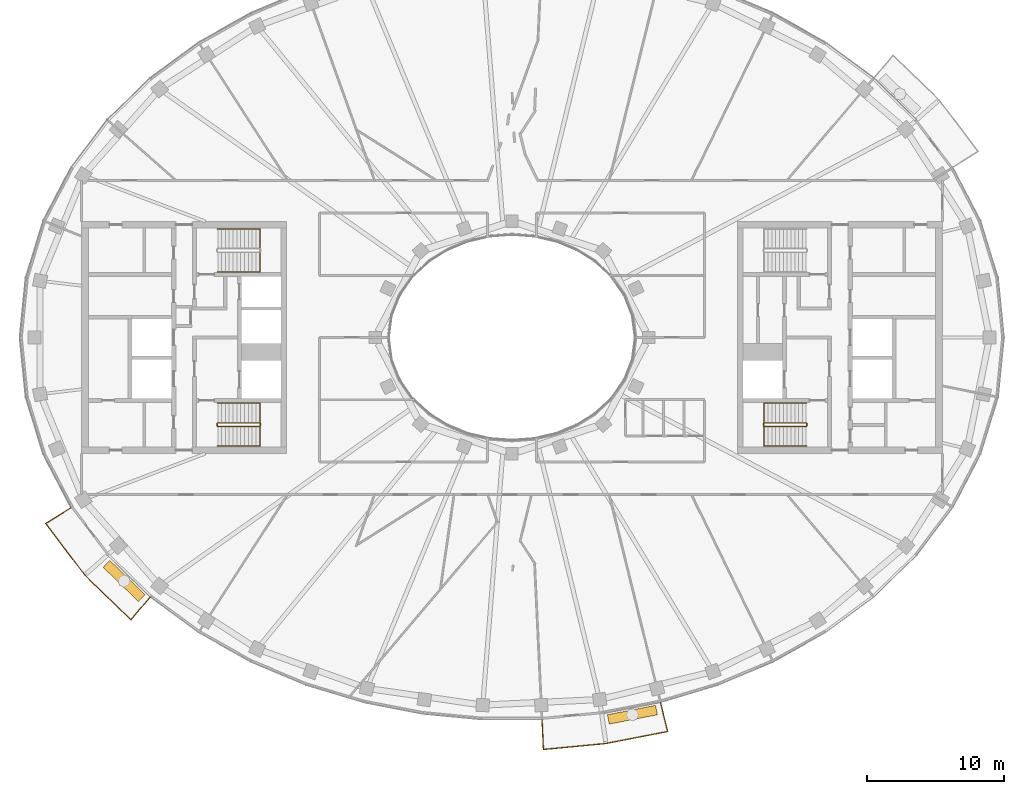
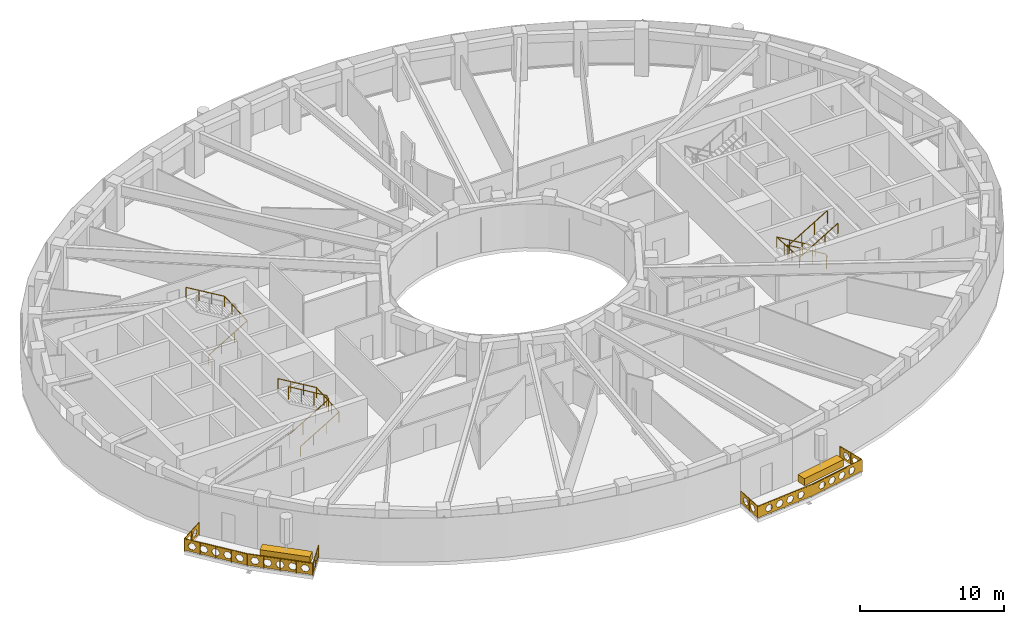
# One storey, part 14 of 16: 7 railings, 2 coverings.
"""IFC4 building model written with IfcOpenShell, lengths in metres."""

from ifc_helpers import new_model, si_unit, direction, frame, origin, origin_2d, place, context, subcontext, project, spatial, polyline, rectangle, outline, extrude, material, type_object, element, save


model = new_model("IFC4")

# Units and contexts
model_context = context("Model", 3, precision=1e-05, world=origin(), true_north=direction((0.0, 1.0)))
body_context = subcontext(model_context, "Body", "Model", "MODEL_VIEW")
ifc_project = project(units=[si_unit("LENGTHUNIT", "METRE"), si_unit("AREAUNIT", "SQUARE_METRE"), si_unit("VOLUMEUNIT", "CUBIC_METRE"), si_unit("PLANEANGLEUNIT", "RADIAN"), si_unit("MASSUNIT", "GRAM", prefix="KILO")], contexts=[model_context])

# Site, building, storey
site_placement = place(None, origin())
site = spatial("IfcSite", under=ifc_project, at=site_placement, CompositionType="ELEMENT")
building_placement = place(site_placement, origin())
building = spatial("IfcBuilding", under=site, at=building_placement, Name="Noorbagh Ring Tower", CompositionType="ELEMENT")
storey_placement = place(building_placement, frame((0.0, 0.0, 311.0)))
storey = spatial("IfcBuildingStorey", under=building, at=storey_placement, Name="L67", CompositionType="ELEMENT", Elevation=311.0)

# Railings
ifc_material_1 = material(Name="Stainless steel", Category="steel")
railing_type_1 = type_object("IfcRailingType", Name="CORE-STAIR-GUARD", PredefinedType="GUARDRAIL", material=ifc_material_1)
railing_1_placement = place(storey_placement, frame((-21.580078125, -6.449951171875, 0.0)))
element("IfcRailing", 1, at=railing_1_placement, inside=storey, type_object=railing_type_1, Name="L67 ST2 stair guard", PredefinedType="GUARDRAIL", context=body_context, shape_type="SweptSolid", body=[
    extrude(rectangle(XDim=0.048095703125, YDim=0.048095703125, at=origin_2d()), frame((0.0, 0.0, 1.076171875), z_axis=(0.0, 1.0, 0.0), x_axis=(-1.0, 0.0, 0.0)), (0.0, 0.0, 1.0), 0.14990234375),
    extrude(rectangle(XDim=0.048095703125, YDim=0.048095703125, at=origin_2d()), frame((0.0, 0.14990234375, 1.076171875), z_axis=(0.188775798145, -0.754182335027, 0.628945707965), x_axis=(0.970072785993, 0.242814311512, 0.0)), (0.0, 0.0, 1.0), 0.26513671875),
    extrude(rectangle(XDim=0.048095703125, YDim=0.048095703125, at=origin_2d()), frame((0.050048828125, -0.050048828125, 1.24267578125), z_axis=(0.859308565015, 0.0, 0.511457515432), x_axis=(0.0, 1.0, 0.0)), (0.0, 0.0, 1.0), 3.58447265625),
    extrude(rectangle(XDim=0.048095703125, YDim=0.048095703125, at=origin_2d()), frame((3.130126953125, -0.050048828125, 3.076171875), z_axis=(0.707106781187, 0.707106781187, 0.0), x_axis=(-0.707106781187, 0.707106781187, 0.0)), (0.0, 0.0, 1.0), 0.07080078125),
    extrude(rectangle(XDim=0.048095703125, YDim=0.048095703125, at=origin_2d()), frame((3.18017578125, 0.0, 3.076171875), z_axis=(0.0, 1.0, 0.0), x_axis=(-1.0, 0.0, 0.0)), (0.0, 0.0, 1.0), 0.14990234375),
    extrude(rectangle(XDim=0.048095703125, YDim=0.048095703125, at=origin_2d()), frame((3.18017578125, 0.14990234375, 3.076171875), z_axis=(-0.27628659633, 0.27628659633, 0.920506074601), x_axis=(-0.707106781187, -0.707106781187, 0.0)), (0.0, 0.0, 1.0), 0.18115234375),
    extrude(rectangle(XDim=0.048095703125, YDim=0.048095703125, at=origin_2d()), frame((3.130126953125, 0.199951171875, 3.24267578125), z_axis=(-0.859308565015, 0.0, 0.511457515432), x_axis=(0.0, -1.0, 0.0)), (0.0, 0.0, 1.0), 3.58447265625),
    extrude(rectangle(XDim=0.0419921875, YDim=0.0419921875, at=origin_2d()), origin(), (0.0, 0.0, 1.0), 1.052001953125),
    extrude(rectangle(XDim=0.0419921875, YDim=0.0419921875, at=origin_2d()), frame((1.07666015625, -0.050048828125, 0.77783203125)), (0.0, 0.0, 1.0), 1.052001953125),
    extrude(rectangle(XDim=0.0419921875, YDim=0.0419921875, at=origin_2d()), frame((2.103515625, -0.050048828125, 1.388916015625)), (0.0, 0.0, 1.0), 1.052001953125),
    extrude(rectangle(XDim=0.0419921875, YDim=0.0419921875, at=origin_2d()), frame((3.130126953125, -0.050048828125, 2.0)), (0.0, 0.0, 1.0), 1.052001953125),
    extrude(rectangle(XDim=0.0419921875, YDim=0.0419921875, at=origin_2d()), frame((3.130126953125, 0.199951171875, 2.166748046875)), (0.0, 0.0, 1.0), 1.052001953125),
    extrude(rectangle(XDim=0.0419921875, YDim=0.0419921875, at=origin_2d()), frame((2.103515625, 0.199951171875, 2.77783203125)), (0.0, 0.0, 1.0), 1.052001953125),
    extrude(rectangle(XDim=0.0419921875, YDim=0.0419921875, at=origin_2d()), frame((1.07666015625, 0.199951171875, 3.388916015625)), (0.0, 0.0, 1.0), 1.052001953125),
    extrude(rectangle(XDim=0.0419921875, YDim=0.0419921875, at=origin_2d()), frame((0.050048828125, 0.199951171875, 4.0)), (0.0, 0.0, 1.0), 1.052001953125),
])
railing_2_placement = place(storey_placement, frame((21.580078125, -6.300048828125, 0.0)))
element("IfcRailing", 2, at=railing_2_placement, inside=storey, type_object=railing_type_1, Name="L67 ST4 stair guard", PredefinedType="GUARDRAIL", context=body_context, shape_type="SweptSolid", body=[
    extrude(rectangle(XDim=0.048095703125, YDim=0.048095703125, at=origin_2d()), frame((0.0, 0.0, 1.076171875), z_axis=(0.0, -1.0, 0.0), x_axis=(1.0, 0.0, 0.0)), (0.0, 0.0, 1.0), 0.14990234375),
    extrude(rectangle(XDim=0.048095703125, YDim=0.048095703125, at=origin_2d()), frame((0.0, -0.14990234375, 1.076171875), z_axis=(-0.188775798145, 0.754182335027, 0.628945707965), x_axis=(-0.970072785993, -0.242814311512, 0.0)), (0.0, 0.0, 1.0), 0.26513671875),
    extrude(rectangle(XDim=0.048095703125, YDim=0.048095703125, at=origin_2d()), frame((-0.050048828125, 0.050048828125, 1.24267578125), z_axis=(-0.859308565015, 0.0, 0.511457515432), x_axis=(0.0, -1.0, 0.0)), (0.0, 0.0, 1.0), 3.58447265625),
    extrude(rectangle(XDim=0.048095703125, YDim=0.048095703125, at=origin_2d()), frame((-3.130126953125, 0.050048828125, 3.076171875), z_axis=(-0.707106781187, -0.707106781187, 0.0), x_axis=(0.707106781187, -0.707106781187, 0.0)), (0.0, 0.0, 1.0), 0.07080078125),
    extrude(rectangle(XDim=0.048095703125, YDim=0.048095703125, at=origin_2d()), frame((-3.18017578125, 0.0, 3.076171875), z_axis=(0.0, -1.0, 0.0), x_axis=(1.0, 0.0, 0.0)), (0.0, 0.0, 1.0), 0.14990234375),
    extrude(rectangle(XDim=0.048095703125, YDim=0.048095703125, at=origin_2d()), frame((-3.18017578125, -0.14990234375, 3.076171875), z_axis=(0.27628659633, -0.27628659633, 0.920506074601), x_axis=(0.707106781187, 0.707106781187, 0.0)), (0.0, 0.0, 1.0), 0.18115234375),
    extrude(rectangle(XDim=0.048095703125, YDim=0.048095703125, at=origin_2d()), frame((-3.130126953125, -0.199951171875, 3.24267578125), z_axis=(0.859308565015, 0.0, 0.511457515432), x_axis=(0.0, 1.0, 0.0)), (0.0, 0.0, 1.0), 3.58447265625),
    extrude(rectangle(XDim=0.0419921875, YDim=0.0419921875, at=origin_2d()), origin(), (0.0, 0.0, 1.0), 1.052001953125),
    extrude(rectangle(XDim=0.0419921875, YDim=0.0419921875, at=origin_2d()), frame((-1.07666015625, 0.050048828125, 0.77783203125)), (0.0, 0.0, 1.0), 1.052001953125),
    extrude(rectangle(XDim=0.0419921875, YDim=0.0419921875, at=origin_2d()), frame((-2.103515625, 0.050048828125, 1.388916015625)), (0.0, 0.0, 1.0), 1.052001953125),
    extrude(rectangle(XDim=0.0419921875, YDim=0.0419921875, at=origin_2d()), frame((-3.130126953125, 0.050048828125, 2.0)), (0.0, 0.0, 1.0), 1.052001953125),
    extrude(rectangle(XDim=0.0419921875, YDim=0.0419921875, at=origin_2d()), frame((-3.130126953125, -0.199951171875, 2.166748046875)), (0.0, 0.0, 1.0), 1.052001953125),
    extrude(rectangle(XDim=0.0419921875, YDim=0.0419921875, at=origin_2d()), frame((-2.103515625, -0.199951171875, 2.77783203125)), (0.0, 0.0, 1.0), 1.052001953125),
    extrude(rectangle(XDim=0.0419921875, YDim=0.0419921875, at=origin_2d()), frame((-1.07666015625, -0.199951171875, 3.388916015625)), (0.0, 0.0, 1.0), 1.052001953125),
    extrude(rectangle(XDim=0.0419921875, YDim=0.0419921875, at=origin_2d()), frame((-0.050048828125, -0.199951171875, 4.0)), (0.0, 0.0, 1.0), 1.052001953125),
])
ifc_material_2 = material(Name="Stainless steel", Category="steel")
railing_type_2 = type_object("IfcRailingType", Name="CORE-STAIR-HANDRAIL", PredefinedType="HANDRAIL", material=ifc_material_2)
railing_3_placement = place(storey_placement, frame((-21.530029296875, 4.800048828125, 0.166748046875)))
element("IfcRailing", 3, at=railing_3_placement, inside=storey, type_object=railing_type_2, Name="L67 ST1 stair handrail", PredefinedType="HANDRAIL", context=body_context, shape_type="SweptSolid", body=[
    extrude(rectangle(XDim=0.048095703125, YDim=0.048095703125, at=origin_2d()), frame((0.0, 0.0, 0.8759765625), z_axis=(0.859308565015, 0.0, 0.511457515432), x_axis=(0.0, 1.0, 0.0)), (0.0, 0.0, 1.0), 3.58447265625),
    extrude(rectangle(XDim=0.048095703125, YDim=0.048095703125, at=origin_2d()), frame((3.080078125, 0.0, 2.708984375), z_axis=(0.0, 0.998601747152, 0.052863509014), x_axis=(-1.0, 0.0, 0.0)), (0.0, 0.0, 1.0), 3.154296875),
    extrude(rectangle(XDim=0.048095703125, YDim=0.048095703125, at=origin_2d()), frame((3.080078125, 3.14990234375, 2.8759765625), z_axis=(-0.859308565015, 0.0, 0.511457515432), x_axis=(0.0, -1.0, 0.0)), (0.0, 0.0, 1.0), 3.58447265625),
    extrude(rectangle(XDim=0.0419921875, YDim=0.0419921875, at=origin_2d()), origin(), (0.0, 0.0, 1.0), 0.851806640625),
    extrude(rectangle(XDim=0.0419921875, YDim=0.0419921875, at=origin_2d()), frame((1.026611328125, 0.0, 0.611083984375)), (0.0, 0.0, 1.0), 0.851806640625),
    extrude(rectangle(XDim=0.0419921875, YDim=0.0419921875, at=origin_2d()), frame((2.053466796875, 0.0, 1.22216796875)), (0.0, 0.0, 1.0), 0.851806640625),
    extrude(rectangle(XDim=0.0419921875, YDim=0.0419921875, at=origin_2d()), frame((3.080078125, 0.0, 1.833251953125)), (0.0, 0.0, 1.0), 0.851806640625),
    extrude(rectangle(XDim=0.0419921875, YDim=0.0419921875, at=origin_2d()), frame((3.080078125, 1.050048828125, 1.888916015625)), (0.0, 0.0, 1.0), 0.851806640625),
    extrude(rectangle(XDim=0.0419921875, YDim=0.0419921875, at=origin_2d()), frame((3.080078125, 2.099853515625, 1.9443359375)), (0.0, 0.0, 1.0), 0.851806640625),
    extrude(rectangle(XDim=0.0419921875, YDim=0.0419921875, at=origin_2d()), frame((3.080078125, 3.14990234375, 2.0)), (0.0, 0.0, 1.0), 0.851806640625),
    extrude(rectangle(XDim=0.0419921875, YDim=0.0419921875, at=origin_2d()), frame((2.053466796875, 3.14990234375, 2.611083984375)), (0.0, 0.0, 1.0), 0.851806640625),
    extrude(rectangle(XDim=0.0419921875, YDim=0.0419921875, at=origin_2d()), frame((1.026611328125, 3.14990234375, 3.22216796875)), (0.0, 0.0, 1.0), 0.851806640625),
    extrude(rectangle(XDim=0.0419921875, YDim=0.0419921875, at=origin_2d()), frame((0.0, 3.14990234375, 3.833251953125)), (0.0, 0.0, 1.0), 0.851806640625),
])
railing_4_placement = place(storey_placement, frame((-21.530029296875, -7.949951171875, 0.166748046875)))
element("IfcRailing", 4, at=railing_4_placement, inside=storey, type_object=railing_type_2, Name="L67 ST2 stair handrail", PredefinedType="HANDRAIL", context=body_context, shape_type="SweptSolid", body=[
    extrude(rectangle(XDim=0.048095703125, YDim=0.048095703125, at=origin_2d()), frame((0.0, 0.0, 0.8759765625), z_axis=(0.859308565015, 0.0, 0.511457515432), x_axis=(0.0, 1.0, 0.0)), (0.0, 0.0, 1.0), 3.58447265625),
    extrude(rectangle(XDim=0.048095703125, YDim=0.048095703125, at=origin_2d()), frame((3.080078125, 0.0, 2.708984375), z_axis=(0.0, 0.998601747152, 0.052863509014), x_axis=(-1.0, 0.0, 0.0)), (0.0, 0.0, 1.0), 3.154296875),
    extrude(rectangle(XDim=0.048095703125, YDim=0.048095703125, at=origin_2d()), frame((3.080078125, 3.14990234375, 2.8759765625), z_axis=(-0.859308565015, 0.0, 0.511457515432), x_axis=(0.0, -1.0, 0.0)), (0.0, 0.0, 1.0), 3.58447265625),
    extrude(rectangle(XDim=0.0419921875, YDim=0.0419921875, at=origin_2d()), origin(), (0.0, 0.0, 1.0), 0.851806640625),
    extrude(rectangle(XDim=0.0419921875, YDim=0.0419921875, at=origin_2d()), frame((1.026611328125, 0.0, 0.611083984375)), (0.0, 0.0, 1.0), 0.851806640625),
    extrude(rectangle(XDim=0.0419921875, YDim=0.0419921875, at=origin_2d()), frame((2.053466796875, 0.0, 1.22216796875)), (0.0, 0.0, 1.0), 0.851806640625),
    extrude(rectangle(XDim=0.0419921875, YDim=0.0419921875, at=origin_2d()), frame((3.080078125, 0.0, 1.833251953125)), (0.0, 0.0, 1.0), 0.851806640625),
    extrude(rectangle(XDim=0.0419921875, YDim=0.0419921875, at=origin_2d()), frame((3.080078125, 1.050048828125, 1.888916015625)), (0.0, 0.0, 1.0), 0.851806640625),
    extrude(rectangle(XDim=0.0419921875, YDim=0.0419921875, at=origin_2d()), frame((3.080078125, 2.099853515625, 1.9443359375)), (0.0, 0.0, 1.0), 0.851806640625),
    extrude(rectangle(XDim=0.0419921875, YDim=0.0419921875, at=origin_2d()), frame((3.080078125, 3.14990234375, 2.0)), (0.0, 0.0, 1.0), 0.851806640625),
    extrude(rectangle(XDim=0.0419921875, YDim=0.0419921875, at=origin_2d()), frame((2.053466796875, 3.14990234375, 2.611083984375)), (0.0, 0.0, 1.0), 0.851806640625),
    extrude(rectangle(XDim=0.0419921875, YDim=0.0419921875, at=origin_2d()), frame((1.026611328125, 3.14990234375, 3.22216796875)), (0.0, 0.0, 1.0), 0.851806640625),
    extrude(rectangle(XDim=0.0419921875, YDim=0.0419921875, at=origin_2d()), frame((0.0, 3.14990234375, 3.833251953125)), (0.0, 0.0, 1.0), 0.851806640625),
])
railing_5_placement = place(storey_placement, frame((21.530029296875, -4.800048828125, 0.166748046875)))
element("IfcRailing", 5, at=railing_5_placement, inside=storey, type_object=railing_type_2, Name="L67 ST4 stair handrail", PredefinedType="HANDRAIL", context=body_context, shape_type="SweptSolid", body=[
    extrude(rectangle(XDim=0.048095703125, YDim=0.048095703125, at=origin_2d()), frame((0.0, 0.0, 0.8759765625), z_axis=(-0.859308565015, 0.0, 0.511457515432), x_axis=(0.0, -1.0, 0.0)), (0.0, 0.0, 1.0), 3.58447265625),
    extrude(rectangle(XDim=0.048095703125, YDim=0.048095703125, at=origin_2d()), frame((-3.080078125, 0.0, 2.708984375), z_axis=(0.0, -0.998601747152, 0.052863509014), x_axis=(1.0, 0.0, 0.0)), (0.0, 0.0, 1.0), 3.154296875),
    extrude(rectangle(XDim=0.048095703125, YDim=0.048095703125, at=origin_2d()), frame((-3.080078125, -3.14990234375, 2.8759765625), z_axis=(0.859308565015, 0.0, 0.511457515432), x_axis=(0.0, 1.0, 0.0)), (0.0, 0.0, 1.0), 3.58447265625),
    extrude(rectangle(XDim=0.0419921875, YDim=0.0419921875, at=origin_2d()), origin(), (0.0, 0.0, 1.0), 0.851806640625),
    extrude(rectangle(XDim=0.0419921875, YDim=0.0419921875, at=origin_2d()), frame((-1.026611328125, 0.0, 0.611083984375)), (0.0, 0.0, 1.0), 0.851806640625),
    extrude(rectangle(XDim=0.0419921875, YDim=0.0419921875, at=origin_2d()), frame((-2.053466796875, 0.0, 1.22216796875)), (0.0, 0.0, 1.0), 0.851806640625),
    extrude(rectangle(XDim=0.0419921875, YDim=0.0419921875, at=origin_2d()), frame((-3.080078125, 0.0, 1.833251953125)), (0.0, 0.0, 1.0), 0.851806640625),
    extrude(rectangle(XDim=0.0419921875, YDim=0.0419921875, at=origin_2d()), frame((-3.080078125, -1.050048828125, 1.888916015625)), (0.0, 0.0, 1.0), 0.851806640625),
    extrude(rectangle(XDim=0.0419921875, YDim=0.0419921875, at=origin_2d()), frame((-3.080078125, -2.099853515625, 1.9443359375)), (0.0, 0.0, 1.0), 0.851806640625),
    extrude(rectangle(XDim=0.0419921875, YDim=0.0419921875, at=origin_2d()), frame((-3.080078125, -3.14990234375, 2.0)), (0.0, 0.0, 1.0), 0.851806640625),
    extrude(rectangle(XDim=0.0419921875, YDim=0.0419921875, at=origin_2d()), frame((-2.053466796875, -3.14990234375, 2.611083984375)), (0.0, 0.0, 1.0), 0.851806640625),
    extrude(rectangle(XDim=0.0419921875, YDim=0.0419921875, at=origin_2d()), frame((-1.026611328125, -3.14990234375, 3.22216796875)), (0.0, 0.0, 1.0), 0.851806640625),
    extrude(rectangle(XDim=0.0419921875, YDim=0.0419921875, at=origin_2d()), frame((0.0, -3.14990234375, 3.833251953125)), (0.0, 0.0, 1.0), 0.851806640625),
])
ifc_material_3 = material(Name="Steel S275 black powder-coated", Category="steel")
railing_type_3 = type_object("IfcRailingType", Name="ENV-GUARD", PredefinedType="GUARDRAIL", material=ifc_material_3)
railing_6_placement = place(storey_placement, frame((-32.255126953125, -12.434814453125, 0.0)))
element("IfcRailing", 6, at=railing_6_placement, inside=storey, type_object=railing_type_3, Name="Balcony guard BS01", PredefinedType="GUARDRAIL", context=body_context, shape_type="SweptSolid", body=[
    extrude(rectangle(XDim=0.048095703125, YDim=0.048095703125, at=origin_2d()), frame((0.0, 0.0, 1.076171875), z_axis=(-0.844852397829, -0.534999463442, 0.0), x_axis=(0.534999463442, -0.844852397829, 0.0)), (0.0, 0.0, 1.0), 2.207763671875),
    extrude(rectangle(XDim=0.048095703125, YDim=0.048095703125, at=origin_2d()), frame((-1.865234375, -1.18115234375, 1.076171875), z_axis=(0.604001613322, -0.796983093362, 0.0), x_axis=(0.796983093362, 0.604001613322, 0.0)), (0.0, 0.0, 1.0), 4.7353515625),
    extrude(rectangle(XDim=0.048095703125, YDim=0.048095703125, at=origin_2d()), frame((0.994873046875, -4.955078125, 1.076171875), z_axis=(0.717212632946, -0.696854388766, 0.0), x_axis=(0.696854388766, 0.717212632946, 0.0)), (0.0, 0.0, 1.0), 4.700927734375),
    extrude(rectangle(XDim=0.048095703125, YDim=0.048095703125, at=origin_2d()), frame((4.366455078125, -8.23095703125, 1.076171875), z_axis=(0.646413574048, 0.762987215677, 0.0), x_axis=(-0.762987215677, 0.646413574048, 0.0)), (0.0, 0.0, 1.0), 2.205322265625),
    extrude(rectangle(XDim=0.0419921875, YDim=0.0419921875, at=origin_2d()), origin(), (0.0, 0.0, 1.0), 1.052001953125),
    extrude(rectangle(XDim=0.0419921875, YDim=0.0419921875, at=origin_2d()), frame((-0.9326171875, -0.590576171875, 0.0)), (0.0, 0.0, 1.0), 1.052001953125),
    extrude(rectangle(XDim=0.0419921875, YDim=0.0419921875, at=origin_2d()), frame((-1.865234375, -1.18115234375, 0.0)), (0.0, 0.0, 1.0), 1.052001953125),
    extrude(rectangle(XDim=0.0419921875, YDim=0.0419921875, at=origin_2d()), frame((-1.150146484375, -2.12451171875, 0.0)), (0.0, 0.0, 1.0), 1.052001953125),
    extrude(rectangle(XDim=0.0419921875, YDim=0.0419921875, at=origin_2d()), frame((-0.43505859375, -3.068115234375, 0.0)), (0.0, 0.0, 1.0), 1.052001953125),
    extrude(rectangle(XDim=0.0419921875, YDim=0.0419921875, at=origin_2d()), frame((0.27978515625, -4.01171875, 0.0)), (0.0, 0.0, 1.0), 1.052001953125),
    extrude(rectangle(XDim=0.0419921875, YDim=0.0419921875, at=origin_2d()), frame((0.994873046875, -4.955078125, 0.0)), (0.0, 0.0, 1.0), 1.052001953125),
    extrude(rectangle(XDim=0.0419921875, YDim=0.0419921875, at=origin_2d()), frame((1.837890625, -5.77392578125, 0.0)), (0.0, 0.0, 1.0), 1.052001953125),
    extrude(rectangle(XDim=0.0419921875, YDim=0.0419921875, at=origin_2d()), frame((2.6806640625, -6.593017578125, 0.0)), (0.0, 0.0, 1.0), 1.052001953125),
    extrude(rectangle(XDim=0.0419921875, YDim=0.0419921875, at=origin_2d()), frame((3.5234375, -7.412109375, 0.0)), (0.0, 0.0, 1.0), 1.052001953125),
    extrude(rectangle(XDim=0.0419921875, YDim=0.0419921875, at=origin_2d()), frame((4.366455078125, -8.23095703125, 0.0)), (0.0, 0.0, 1.0), 1.052001953125),
    extrude(rectangle(XDim=0.0419921875, YDim=0.0419921875, at=origin_2d()), frame((5.0791015625, -7.3896484375, 0.0)), (0.0, 0.0, 1.0), 1.052001953125),
    extrude(rectangle(XDim=0.0419921875, YDim=0.0419921875, at=origin_2d()), frame((5.7919921875, -6.54833984375, 0.0)), (0.0, 0.0, 1.0), 1.052001953125),
    extrude(outline(polyline([(0.0, 0.10009765625), (2.207763671875, 0.10009765625), (2.207763671875, 1.031982421875), (0.0, 1.031982421875), (0.0, 0.10009765625)]), holes=[polyline([(0.9638671875, 0.56591796875), (0.808837890625, 0.83447265625), (0.498779296875, 0.83447265625), (0.343994140625, 0.56591796875), (0.498779296875, 0.297607421875), (0.808837890625, 0.297607421875), (0.9638671875, 0.56591796875)]), polyline([(1.86376953125, 0.56591796875), (1.708984375, 0.83447265625), (1.39892578125, 0.83447265625), (1.243896484375, 0.56591796875), (1.39892578125, 0.297607421875), (1.708984375, 0.297607421875), (1.86376953125, 0.56591796875)])]), frame((0.00537109375, -0.008544921875, 0.0), z_axis=(-0.534999463442, 0.844852397829, 0.0), x_axis=(-0.844852397829, -0.534999463442, 0.0)), (0.0, 0.0, 1.0), 0.02001953125),
    extrude(outline(polyline([(0.0, 0.10009765625), (4.7353515625, 0.10009765625), (4.7353515625, 1.031982421875), (0.0, 1.031982421875), (0.0, 0.10009765625)]), holes=[polyline([(0.877685546875, 0.56591796875), (0.72265625, 0.83447265625), (0.41259765625, 0.83447265625), (0.257568359375, 0.56591796875), (0.41259765625, 0.297607421875), (0.72265625, 0.297607421875), (0.877685546875, 0.56591796875)]), polyline([(1.777587890625, 0.56591796875), (1.62255859375, 0.83447265625), (1.312744140625, 0.83447265625), (1.15771484375, 0.56591796875), (1.312744140625, 0.297607421875), (1.62255859375, 0.297607421875), (1.777587890625, 0.56591796875)]), polyline([(2.677734375, 0.56591796875), (2.522705078125, 0.83447265625), (2.212646484375, 0.83447265625), (2.0576171875, 0.56591796875), (2.212646484375, 0.297607421875), (2.522705078125, 0.297607421875), (2.677734375, 0.56591796875)]), polyline([(3.57763671875, 0.56591796875), (3.422607421875, 0.83447265625), (3.112548828125, 0.83447265625), (2.95751953125, 0.56591796875), (3.112548828125, 0.297607421875), (3.422607421875, 0.297607421875), (3.57763671875, 0.56591796875)]), polyline([(4.4775390625, 0.56591796875), (4.32275390625, 0.83447265625), (4.0126953125, 0.83447265625), (3.857666015625, 0.56591796875), (4.0126953125, 0.297607421875), (4.32275390625, 0.297607421875), (4.4775390625, 0.56591796875)])]), frame((-1.857177734375, -1.175048828125, 0.0), z_axis=(-0.796983093362, -0.604001613322, 0.0), x_axis=(0.604001613322, -0.796983093362, 0.0)), (0.0, 0.0, 1.0), 0.02001953125),
    extrude(outline(polyline([(0.0, 0.10009765625), (4.700927734375, 0.10009765625), (4.700927734375, 1.031982421875), (0.0, 1.031982421875), (0.0, 0.10009765625)]), holes=[polyline([(0.860595703125, 0.56591796875), (0.70556640625, 0.83447265625), (0.3955078125, 0.83447265625), (0.240478515625, 0.56591796875), (0.3955078125, 0.297607421875), (0.70556640625, 0.297607421875), (0.860595703125, 0.56591796875)]), polyline([(1.760498046875, 0.56591796875), (1.60546875, 0.83447265625), (1.29541015625, 0.83447265625), (1.140380859375, 0.56591796875), (1.29541015625, 0.297607421875), (1.60546875, 0.297607421875), (1.760498046875, 0.56591796875)]), polyline([(2.660400390625, 0.56591796875), (2.50537109375, 0.83447265625), (2.195556640625, 0.83447265625), (2.04052734375, 0.56591796875), (2.195556640625, 0.297607421875), (2.50537109375, 0.297607421875), (2.660400390625, 0.56591796875)]), polyline([(3.560546875, 0.56591796875), (3.405517578125, 0.83447265625), (3.095458984375, 0.83447265625), (2.9404296875, 0.56591796875), (3.095458984375, 0.297607421875), (3.405517578125, 0.297607421875), (3.560546875, 0.56591796875)]), polyline([(4.46044921875, 0.56591796875), (4.305419921875, 0.83447265625), (3.995361328125, 0.83447265625), (3.840576171875, 0.56591796875), (3.995361328125, 0.297607421875), (4.305419921875, 0.297607421875), (4.46044921875, 0.56591796875)])]), frame((1.001953125, -4.947998046875, 0.0), z_axis=(-0.696854388766, -0.717212632946, 0.0), x_axis=(0.717212632946, -0.696854388766, 0.0)), (0.0, 0.0, 1.0), 0.02001953125),
    extrude(outline(polyline([(0.0, 0.10009765625), (2.205322265625, 0.10009765625), (2.205322265625, 1.031982421875), (0.0, 1.031982421875), (0.0, 0.10009765625)]), holes=[polyline([(0.962646484375, 0.56591796875), (0.8076171875, 0.83447265625), (0.49755859375, 0.83447265625), (0.342529296875, 0.56591796875), (0.49755859375, 0.297607421875), (0.8076171875, 0.297607421875), (0.962646484375, 0.56591796875)]), polyline([(1.862548828125, 0.56591796875), (1.707763671875, 0.83447265625), (1.397705078125, 0.83447265625), (1.24267578125, 0.56591796875), (1.397705078125, 0.297607421875), (1.707763671875, 0.297607421875), (1.862548828125, 0.56591796875)])]), frame((4.35888671875, -8.224609375, 0.0), z_axis=(0.762987215677, -0.646413574048, 0.0), x_axis=(0.646413574048, 0.762987215677, 0.0)), (0.0, 0.0, 1.0), 0.02001953125),
])
railing_7_placement = place(storey_placement, frame((2.193115234375, -27.947998046875, 0.0)))
element("IfcRailing", 7, at=railing_7_placement, inside=storey, type_object=railing_type_3, Name="Balcony guard BS04", PredefinedType="GUARDRAIL", context=body_context, shape_type="SweptSolid", body=[
    extrude(rectangle(XDim=0.048095703125, YDim=0.048095703125, at=origin_2d()), frame((0.0, 0.0, 1.076171875), z_axis=(0.047554616162, -0.998868639252, 0.0), x_axis=(0.998868639252, 0.047554616162, 0.0)), (0.0, 0.0, 1.0), 2.202392578125),
    extrude(rectangle(XDim=0.048095703125, YDim=0.048095703125, at=origin_2d()), frame((0.104736328125, -2.199951171875, 1.076171875), z_axis=(0.995477555764, 0.094997031379, 0.0), x_axis=(-0.094997031379, 0.995477555764, 0.0)), (0.0, 0.0, 1.0), 4.59765625),
    extrude(rectangle(XDim=0.048095703125, YDim=0.048095703125, at=origin_2d()), frame((4.681640625, -1.76318359375, 1.076171875), z_axis=(0.981625049064, 0.1908199755, 0.0), x_axis=(-0.1908199755, 0.981625049064, 0.0)), (0.0, 0.0, 1.0), 4.603271484375),
    extrude(rectangle(XDim=0.048095703125, YDim=0.048095703125, at=origin_2d()), frame((9.200439453125, -0.884765625, 1.076171875), z_axis=(-0.239848558412, 0.970810315679, 0.0), x_axis=(-0.970810315679, -0.239848558412, 0.0)), (0.0, 0.0, 1.0), 2.20263671875),
    extrude(rectangle(XDim=0.0419921875, YDim=0.0419921875, at=origin_2d()), origin(), (0.0, 0.0, 1.0), 1.052001953125),
    extrude(rectangle(XDim=0.0419921875, YDim=0.0419921875, at=origin_2d()), frame((0.05224609375, -1.10009765625, 0.0)), (0.0, 0.0, 1.0), 1.052001953125),
    extrude(rectangle(XDim=0.0419921875, YDim=0.0419921875, at=origin_2d()), frame((0.104736328125, -2.199951171875, 0.0)), (0.0, 0.0, 1.0), 1.052001953125),
    extrude(rectangle(XDim=0.0419921875, YDim=0.0419921875, at=origin_2d()), frame((1.2490234375, -2.0908203125, 0.0)), (0.0, 0.0, 1.0), 1.052001953125),
    extrude(rectangle(XDim=0.0419921875, YDim=0.0419921875, at=origin_2d()), frame((2.39306640625, -1.9814453125, 0.0)), (0.0, 0.0, 1.0), 1.052001953125),
    extrude(rectangle(XDim=0.0419921875, YDim=0.0419921875, at=origin_2d()), frame((3.537353515625, -1.872314453125, 0.0)), (0.0, 0.0, 1.0), 1.052001953125),
    extrude(rectangle(XDim=0.0419921875, YDim=0.0419921875, at=origin_2d()), frame((4.681640625, -1.76318359375, 0.0)), (0.0, 0.0, 1.0), 1.052001953125),
    extrude(rectangle(XDim=0.0419921875, YDim=0.0419921875, at=origin_2d()), frame((5.811279296875, -1.54345703125, 0.0)), (0.0, 0.0, 1.0), 1.052001953125),
    extrude(rectangle(XDim=0.0419921875, YDim=0.0419921875, at=origin_2d()), frame((6.94091796875, -1.323974609375, 0.0)), (0.0, 0.0, 1.0), 1.052001953125),
    extrude(rectangle(XDim=0.0419921875, YDim=0.0419921875, at=origin_2d()), frame((8.07080078125, -1.1044921875, 0.0)), (0.0, 0.0, 1.0), 1.052001953125),
    extrude(rectangle(XDim=0.0419921875, YDim=0.0419921875, at=origin_2d()), frame((9.200439453125, -0.884765625, 0.0)), (0.0, 0.0, 1.0), 1.052001953125),
    extrude(rectangle(XDim=0.0419921875, YDim=0.0419921875, at=origin_2d()), frame((8.936279296875, 0.1845703125, 0.0)), (0.0, 0.0, 1.0), 1.052001953125),
    extrude(rectangle(XDim=0.0419921875, YDim=0.0419921875, at=origin_2d()), frame((8.672119140625, 1.253662109375, 0.0)), (0.0, 0.0, 1.0), 1.052001953125),
    extrude(outline(polyline([(0.0, 0.10009765625), (2.202392578125, 0.10009765625), (2.202392578125, 1.031982421875), (0.0, 1.031982421875), (0.0, 0.10009765625)]), holes=[polyline([(0.961181640625, 0.56591796875), (0.80615234375, 0.83447265625), (0.496337890625, 0.83447265625), (0.34130859375, 0.56591796875), (0.496337890625, 0.297607421875), (0.80615234375, 0.297607421875), (0.961181640625, 0.56591796875)]), polyline([(1.861328125, 0.56591796875), (1.706298828125, 0.83447265625), (1.396240234375, 0.83447265625), (1.2412109375, 0.56591796875), (1.396240234375, 0.297607421875), (1.706298828125, 0.297607421875), (1.861328125, 0.56591796875)])]), frame((0.010009765625, 0.00048828125, 0.0), z_axis=(-0.998868639252, -0.047554616162, 0.0), x_axis=(0.047554616162, -0.998868639252, 0.0)), (0.0, 0.0, 1.0), 0.02001953125),
    extrude(outline(polyline([(0.0, 0.10009765625), (4.59765625, 0.10009765625), (4.59765625, 1.031982421875), (0.0, 1.031982421875), (0.0, 0.10009765625)]), holes=[polyline([(1.2587890625, 0.56591796875), (1.103759765625, 0.83447265625), (0.7939453125, 0.83447265625), (0.638916015625, 0.56591796875), (0.7939453125, 0.297607421875), (1.103759765625, 0.297607421875), (1.2587890625, 0.56591796875)]), polyline([(2.158935546875, 0.56591796875), (2.00390625, 0.83447265625), (1.69384765625, 0.83447265625), (1.538818359375, 0.56591796875), (1.69384765625, 0.297607421875), (2.00390625, 0.297607421875), (2.158935546875, 0.56591796875)]), polyline([(3.058837890625, 0.56591796875), (2.90380859375, 0.83447265625), (2.59375, 0.83447265625), (2.43896484375, 0.56591796875), (2.59375, 0.297607421875), (2.90380859375, 0.297607421875), (3.058837890625, 0.56591796875)]), polyline([(3.958740234375, 0.56591796875), (3.803955078125, 0.83447265625), (3.493896484375, 0.83447265625), (3.3388671875, 0.56591796875), (3.493896484375, 0.297607421875), (3.803955078125, 0.297607421875), (3.958740234375, 0.56591796875)])]), frame((0.103759765625, -2.18994140625, 0.0), z_axis=(0.094997031379, -0.995477555764, 0.0), x_axis=(0.995477555764, 0.094997031379, 0.0)), (0.0, 0.0, 1.0), 0.02001953125),
    extrude(outline(polyline([(0.0, 0.10009765625), (4.603271484375, 0.10009765625), (4.603271484375, 1.031982421875), (0.0, 1.031982421875), (0.0, 0.10009765625)]), holes=[polyline([(1.26171875, 0.56591796875), (1.106689453125, 0.83447265625), (0.796630859375, 0.83447265625), (0.6416015625, 0.56591796875), (0.796630859375, 0.297607421875), (1.106689453125, 0.297607421875), (1.26171875, 0.56591796875)]), polyline([(2.16162109375, 0.56591796875), (2.006591796875, 0.83447265625), (1.69677734375, 0.83447265625), (1.541748046875, 0.56591796875), (1.69677734375, 0.297607421875), (2.006591796875, 0.297607421875), (2.16162109375, 0.56591796875)]), polyline([(3.061767578125, 0.56591796875), (2.90673828125, 0.83447265625), (2.5966796875, 0.83447265625), (2.441650390625, 0.56591796875), (2.5966796875, 0.297607421875), (2.90673828125, 0.297607421875), (3.061767578125, 0.56591796875)]), polyline([(3.961669921875, 0.56591796875), (3.806640625, 0.83447265625), (3.49658203125, 0.83447265625), (3.341796875, 0.56591796875), (3.49658203125, 0.297607421875), (3.806640625, 0.297607421875), (3.961669921875, 0.56591796875)])]), frame((4.6796875, -1.75341796875, 0.0), z_axis=(0.1908199755, -0.981625049064, 0.0), x_axis=(0.981625049064, 0.1908199755, 0.0)), (0.0, 0.0, 1.0), 0.02001953125),
    extrude(outline(polyline([(0.0, 0.10009765625), (2.20263671875, 0.10009765625), (2.20263671875, 1.031982421875), (0.0, 1.031982421875), (0.0, 0.10009765625)]), holes=[polyline([(0.96142578125, 0.56591796875), (0.806396484375, 0.83447265625), (0.496337890625, 0.83447265625), (0.34130859375, 0.56591796875), (0.496337890625, 0.297607421875), (0.806396484375, 0.297607421875), (0.96142578125, 0.56591796875)]), polyline([(1.861328125, 0.56591796875), (1.706298828125, 0.83447265625), (1.396240234375, 0.83447265625), (1.241455078125, 0.56591796875), (1.396240234375, 0.297607421875), (1.706298828125, 0.297607421875), (1.861328125, 0.56591796875)])]), frame((9.190673828125, -0.88720703125, 0.0), z_axis=(0.970810315679, 0.239848558412, 0.0), x_axis=(-0.239848558412, 0.970810315679, 0.0)), (0.0, 0.0, 1.0), 0.02001953125),
])

# Coverings
ifc_material_4 = material(Name="Concrete C30/37 planter with soil", Category="concrete")
covering_type = type_object("IfcCoveringType", Name="ENV-PLANTER", PredefinedType="CLADDING", material=ifc_material_4)
covering_1_placement = place(storey_placement, frame((-28.3837890625, -17.814208984375, 0.0), z_axis=(0.0, 0.0, 1.0), x_axis=(0.717224548362, -0.696842125038, 0.0)))
element("IfcCovering", 8, at=covering_1_placement, inside=storey, type_object=covering_type, Name="PLANTER BS01", ObjectType="PLANTER", PredefinedType="CLADDING", context=body_context, shape_type="SweptSolid", body=[
    extrude(rectangle(XDim=3.584228515625, YDim=0.699951171875, at=origin_2d()), origin(), (0.0, 0.0, 1.0), 0.60009765625),
])
covering_2_placement = place(storey_placement, frame((8.807861328125, -27.603515625, 0.0), z_axis=(0.0, 0.0, 1.0), x_axis=(0.981624952922, 0.190820470077, 0.0)))
element("IfcCovering", 9, at=covering_2_placement, inside=storey, type_object=covering_type, Name="PLANTER BS04", ObjectType="PLANTER", PredefinedType="CLADDING", context=body_context, shape_type="SweptSolid", body=[
    extrude(rectangle(XDim=3.586181640625, YDim=0.699951171875, at=origin_2d()), origin(), (0.0, 0.0, 1.0), 0.60009765625),
])

save(model, "model.ifc")
